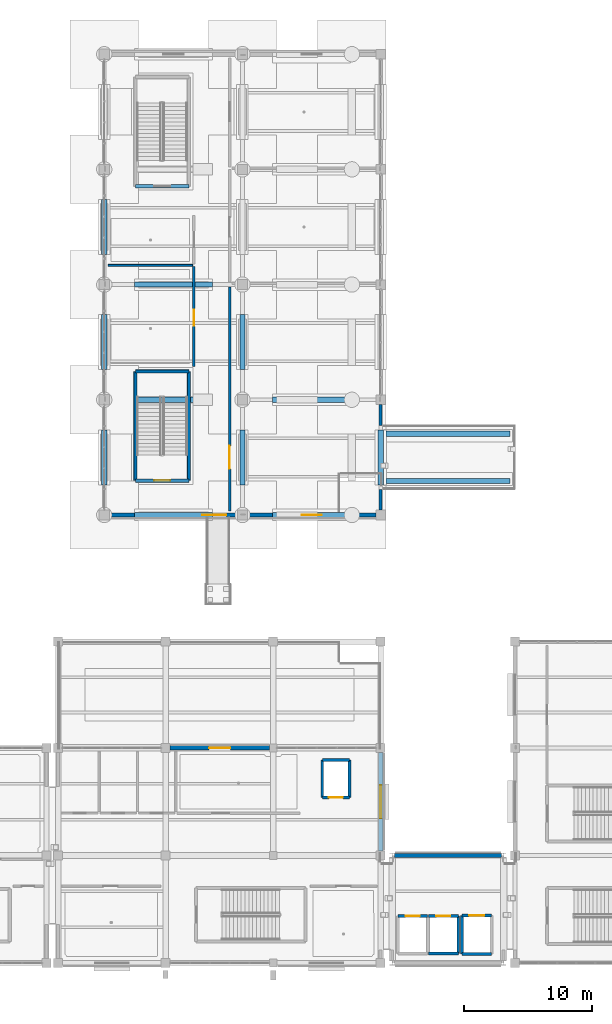
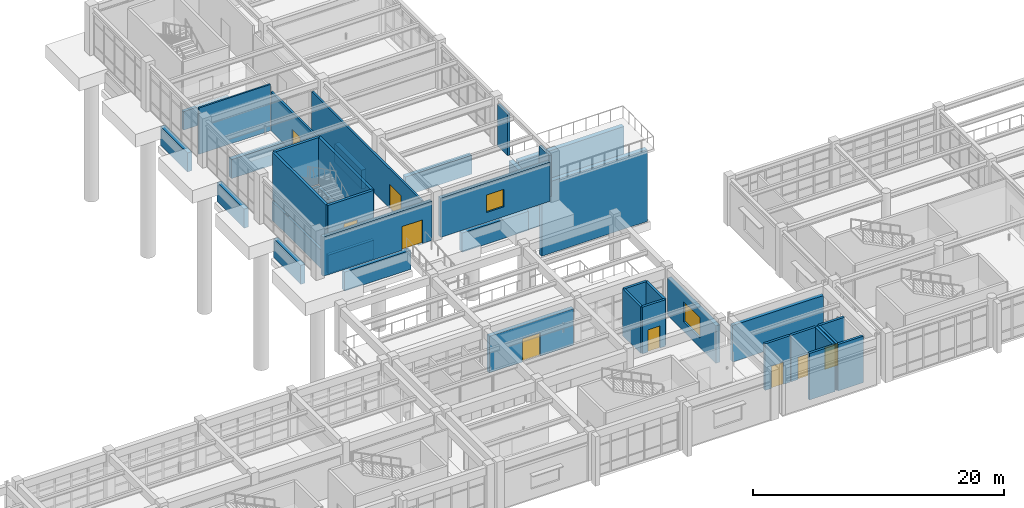
# One storey, part 77 of 98: 43 walls, 9 doors, 2 windows, 11 openings.
"""IFC4 building model written with IfcOpenShell, lengths in metres."""

from ifc_helpers import new_model, si_unit, direction, frame, frame_2d, origin, place, context, subcontext, project, spatial, rectangle, extrude, material, layer, layer_set, type_object, element, fill, save


model = new_model("IFC4")

# Units and contexts
model_context = context("Model", 3, precision=1e-05, world=origin(), true_north=direction((0.0, 1.0)))
body_context = subcontext(model_context, "Body", "Model", "MODEL_VIEW")
ifc_project = project(units=[si_unit("LENGTHUNIT", "METRE"), si_unit("AREAUNIT", "SQUARE_METRE"), si_unit("VOLUMEUNIT", "CUBIC_METRE"), si_unit("PLANEANGLEUNIT", "RADIAN"), si_unit("MASSUNIT", "GRAM", prefix="KILO")], contexts=[model_context])

# Site, building, storey
site_placement = place(None, origin())
site = spatial("IfcSite", under=ifc_project, at=site_placement, CompositionType="ELEMENT")
building_placement = place(site_placement, origin())
building = spatial("IfcBuilding", under=site, at=building_placement, Name="Canglan Escarpment Cableway Terminal", CompositionType="ELEMENT")
storey_placement = place(building_placement, frame((0.0, 0.0, 9.60009765625)))
storey = spatial("IfcBuildingStorey", under=building, at=storey_placement, Name="L02", CompositionType="ELEMENT", Elevation=9.60009765625)

# Walls
ifc_material_1 = material(Name="Concrete C40", Category="concrete")
ifc_layer_1 = layer(ifc_material_1, 0.39990234375, Name="Concrete C40")
ifc_layer_set_1 = layer_set([ifc_layer_1], Name="Concrete C40")
wall_type_1 = type_object("IfcWallType", Name="WL-BENCH-SOLID-400", PredefinedType="SOLIDWALL", material=ifc_layer_set_1)
for number, where, z_axis, x_axis, name in (
    (1, (117.449951171875, 43.0, -2.10009765625), (0.0, 0.0, 1.0), (1.0, 0.0, 0.0), "Hillside bench foundation wall BWALL-X-FB7-1-1"),
    (2, (128.25, 43.0, -2.10009765625), (0.0, 0.0, 1.0), (1.0, 0.0, 0.0), "Hillside bench foundation wall BWALL-X-FB7-1-2"),
    (3, (117.449951171875, 52.0, -2.10009765625), (0.0, 0.0, 1.0), (1.0, 0.0, 0.0), "Hillside bench foundation wall BWALL-X-FB7-2-1"),
    (4, (128.25, 52.0, -2.10009765625), (0.0, 0.0, 1.0), (1.0, 0.0, 0.0), "Hillside bench foundation wall BWALL-X-FB7-2-2"),
    (5, (117.449951171875, 61.0, -2.10009765625), (0.0, 0.0, 1.0), (1.0, 0.0, 0.0), "Hillside bench foundation wall BWALL-X-FB7-3-1"),
):
    element("IfcWall", number, at=place(storey_placement, frame(where, z_axis=z_axis, x_axis=x_axis)), inside=storey, type_object=wall_type_1, Name=name, PredefinedType="SOLIDWALL", context=body_context, shape_type="SweptSolid", body=[
        extrude(rectangle(XDim=6.10009765625, YDim=0.39990234375, at=frame_2d((3.050048828125, 0.0))), origin(), (0.0, 0.0, 1.0), 1.85009765625),
    ])
for number, where, z_axis, x_axis, name in (
    (6, (115.10009765625, 45.35009765625, -2.10009765625), (0.0, 0.0, 1.0), (0.0, 1.0, 0.0), "Hillside bench transverse foundation wall BWALL-Y-FB7-1-1"),
    (7, (115.10009765625, 54.35009765625, -2.10009765625), (0.0, 0.0, 1.0), (0.0, 1.0, 0.0), "Hillside bench transverse foundation wall BWALL-Y-FB7-1-2"),
    (8, (115.10009765625, 63.35009765625, -2.10009765625), (0.0, 0.0, 1.0), (0.0, 1.0, 0.0), "Hillside bench transverse foundation wall BWALL-Y-FB7-1-3"),
    (9, (125.89990234375, 45.35009765625, -2.10009765625), (0.0, 0.0, 1.0), (0.0, 1.0, 0.0), "Hillside bench transverse foundation wall BWALL-Y-FB7-2-1"),
    (10, (125.89990234375, 54.35009765625, -2.10009765625), (0.0, 0.0, 1.0), (0.0, 1.0, 0.0), "Hillside bench transverse foundation wall BWALL-Y-FB7-2-2"),
    (11, (136.699951171875, 45.35009765625, -2.10009765625), (0.0, 0.0, 1.0), (0.0, 1.0, 0.0), "Hillside bench transverse foundation wall BWALL-Y-FB7-3-1"),
):
    element("IfcWall", number, at=place(storey_placement, frame(where, z_axis=z_axis, x_axis=x_axis)), inside=storey, type_object=wall_type_1, Name=name, PredefinedType="SOLIDWALL", context=body_context, shape_type="SweptSolid", body=[
        extrude(rectangle(XDim=4.2998046875, YDim=0.39990234375, at=frame_2d((2.14990234375, 0.0))), origin(), (0.0, 0.0, 1.0), 1.85009765625),
    ])
for number, where, z_axis, x_axis, name in (
    (12, (137.10498046875, 45.64990234375, -7.2001953125), (0.0, 0.0, 1.0), (1.0, 0.0, 0.0), "Link gallery support wall BW-01"),
    (13, (137.10498046875, 49.35009765625, -7.2001953125), (0.0, 0.0, 1.0), (1.0, 0.0, 0.0), "Link gallery support wall BW-01"),
):
    element("IfcWall", number, at=place(storey_placement, frame(where, z_axis=z_axis, x_axis=x_axis)), inside=storey, type_object=wall_type_1, Name=name, PredefinedType="SOLIDWALL", context=body_context, shape_type="SweptSolid", body=[
        extrude(rectangle(XDim=9.695068359375, YDim=0.39990234375, at=frame_2d((4.84765625, 0.0))), origin(), (0.0, 0.0, 1.0), 6.97998046875),
    ])
wall_1_placement = place(storey_placement, frame((121.719970703125, 45.679931640625, -2.10009765625), z_axis=(0.0, 0.0, 1.0), x_axis=(0.0, 1.0, 0.0)))
element("IfcWall", 14, at=wall_1_placement, inside=storey, type_object=wall_type_1, Name="Stair core foundation wall ST-10", PredefinedType="SOLIDWALL", context=body_context, shape_type="SweptSolid", body=[
    extrude(rectangle(XDim=8.5400390625, YDim=0.280029296875, at=frame_2d((4.27001953125, 0.0))), origin(), (0.0, 0.0, 1.0), 1.800048828125),
])
wall_2_placement = place(storey_placement, frame((121.719970703125, 54.219970703125, -2.10009765625), z_axis=(0.0, 0.0, 1.0), x_axis=(-1.0, 0.0, 0.0)))
element("IfcWall", 15, at=wall_2_placement, inside=storey, type_object=wall_type_1, Name="Stair core foundation wall ST-10", PredefinedType="SOLIDWALL", context=body_context, shape_type="SweptSolid", body=[
    extrude(rectangle(XDim=4.18994140625, YDim=0.280029296875, at=frame_2d((2.094970703125, 0.0))), origin(), (0.0, 0.0, 1.0), 1.800048828125),
])
wall_3_placement = place(storey_placement, frame((117.530029296875, 54.219970703125, -2.10009765625), z_axis=(0.0, 0.0, 1.0), x_axis=(0.0, -1.0, 0.0)))
element("IfcWall", 16, at=wall_3_placement, inside=storey, type_object=wall_type_1, Name="Stair core foundation wall ST-10", PredefinedType="SOLIDWALL", context=body_context, shape_type="SweptSolid", body=[
    extrude(rectangle(XDim=8.5400390625, YDim=0.280029296875, at=frame_2d((4.27001953125, 0.0))), origin(), (0.0, 0.0, 1.0), 1.800048828125),
])
for number, where, z_axis, x_axis, name in (
    (17, (117.530029296875, 45.679931640625, -2.10009765625), (0.0, 0.0, 1.0), (1.0, 0.0, 0.0), "Stair core foundation wall ST-10"),
    (18, (117.530029296875, 68.679931640625, -2.10009765625), (0.0, 0.0, 1.0), (1.0, 0.0, 0.0), "Stair core foundation wall ST-11"),
):
    element("IfcWall", number, at=place(storey_placement, frame(where, z_axis=z_axis, x_axis=x_axis)), inside=storey, type_object=wall_type_1, Name=name, PredefinedType="SOLIDWALL", context=body_context, shape_type="SweptSolid", body=[
        extrude(rectangle(XDim=4.18994140625, YDim=0.280029296875, at=frame_2d((2.094970703125, 0.0))), origin(), (0.0, 0.0, 1.0), 1.800048828125),
    ])
ifc_layer_2 = layer(ifc_material_1, 0.239990234375, Name="Concrete C40")
ifc_layer_set_2 = layer_set([ifc_layer_2], Name="Concrete C40")
wall_type_2 = type_object("IfcWallType", Name="WL-CORE-SHEAR-240", PredefinedType="SHEAR", material=ifc_layer_set_2)
wall_4_placement = place(storey_placement, frame((121.719970703125, 45.679931640625, 0.0), z_axis=(0.0, 0.0, 1.0), x_axis=(0.0, 1.0, 0.0)))
element("IfcWall", 19, at=wall_4_placement, inside=storey, type_object=wall_type_2, Name="Protected stair core wall ST-10 (L02)", PredefinedType="SHEAR", context=body_context, shape_type="SweptSolid", body=[
    extrude(rectangle(XDim=8.5400390625, YDim=0.239990234375, at=frame_2d((4.27001953125, 0.0))), origin(), (0.0, 0.0, 1.0), 4.52001953125),
])
wall_5_placement = place(storey_placement, frame((121.719970703125, 54.219970703125, 0.0), z_axis=(0.0, 0.0, 1.0), x_axis=(-1.0, 0.0, 0.0)))
element("IfcWall", 20, at=wall_5_placement, inside=storey, type_object=wall_type_2, Name="Protected stair core wall ST-10 (L02)", PredefinedType="SHEAR", context=body_context, shape_type="SweptSolid", body=[
    extrude(rectangle(XDim=4.18994140625, YDim=0.239990234375, at=frame_2d((2.094970703125, 0.0))), origin(), (0.0, 0.0, 1.0), 4.52001953125),
])
wall_6_placement = place(storey_placement, frame((117.530029296875, 54.219970703125, 0.0), z_axis=(0.0, 0.0, 1.0), x_axis=(0.0, -1.0, 0.0)))
element("IfcWall", 21, at=wall_6_placement, inside=storey, type_object=wall_type_2, Name="Protected stair core wall ST-10 (L02)", PredefinedType="SHEAR", context=body_context, shape_type="SweptSolid", body=[
    extrude(rectangle(XDim=8.5400390625, YDim=0.239990234375, at=frame_2d((4.27001953125, 0.0))), origin(), (0.0, 0.0, 1.0), 4.52001953125),
])

# Wall, opening, door
wall_7_placement = place(storey_placement, frame((117.530029296875, 45.679931640625, 0.0), z_axis=(0.0, 0.0, 1.0), x_axis=(1.0, 0.0, 0.0)))
wall_7 = element("IfcWall", 22, at=wall_7_placement, inside=storey, type_object=wall_type_2, Name="Protected stair core wall ST-10 (L02)", PredefinedType="SHEAR", context=body_context, shape_type="SweptSolid", body=[
    extrude(rectangle(XDim=4.18994140625, YDim=0.239990234375, at=frame_2d((2.094970703125, 0.0))), origin(), (0.0, 0.0, 1.0), 4.52001953125),
])
opening_1_placement = place(wall_7_placement, frame((1.469970703125, 0.0, 0.0)))
opening_1 = element("IfcOpeningElement", 23, at=opening_1_placement, cuts=wall_7, Name="Opening SD-D1", PredefinedType="OPENING", context=body_context, shape_type="SweptSolid", body=[
    extrude(rectangle(XDim=1.25, YDim=2.199951171875, at=frame_2d((0.625, 1.10009765625))), frame((0.0, 0.1298828125, 0.0), z_axis=(0.0, -1.0, 0.0), x_axis=(1.0, 0.0, 0.0)), (0.0, 0.0, 1.0), 0.260009765625),
])
ifc_material_2 = material(Name="Steel fire-resisting stair door", Category="steel")
door_type_1 = type_object("IfcDoorType", Name="DR-STAIR-EI90-1250", OperationType="NOTDEFINED", PredefinedType="DOOR", material=ifc_material_2)
door_1_placement = place(opening_1_placement, origin())
door_1 = element("IfcDoor", 24, at=door_1_placement, inside=storey, type_object=door_type_1, Name="Protected exit stair fire door ST-10 (L02)", OperationType="SINGLE_SWING_RIGHT", OverallHeight=2.199951171875, OverallWidth=1.25, PredefinedType="DOOR", context=body_context, shape_type="SweptSolid", body=[
    extrude(rectangle(XDim=1.25, YDim=2.199951171875, at=frame_2d((0.625, 1.10009765625))), frame((0.0, 0.02490234375, 0.0), z_axis=(0.0, -1.0, 0.0), x_axis=(1.0, 0.0, 0.0)), (0.0, 0.0, 1.0), 0.050048828125),
])
fill(opening_1, door_1)

# Wall
ifc_material_3 = material(Name="Dressed ashlar limestone on Concrete C40", Category="masonry")
ifc_layer_3 = layer(ifc_material_3, 0.320068359375, Name="Dressed ashlar limestone on Concrete C40")
ifc_layer_set_3 = layer_set([ifc_layer_3], Name="Dressed ashlar limestone on Concrete C40")
wall_type_3 = type_object("IfcWallType", Name="WL-EXT-ASHLAR-320", PredefinedType="STANDARD", material=ifc_layer_set_3)
wall_8_placement = place(storey_placement, frame((146.125, 16.39990234375, 0.0), z_axis=(0.0, 0.0, 1.0), x_axis=(-1.0, 0.0, 0.0)))
element("IfcWall", 25, at=wall_8_placement, inside=storey, type_object=wall_type_3, Name="Classical stone-faced exterior wall EW-FB5A-L02-N-01", PredefinedType="STANDARD", context=body_context, shape_type="SweptSolid", body=[
    extrude(rectangle(XDim=8.35009765625, YDim=0.320068359375, at=frame_2d((4.175048828125, 0.0))), origin(), (0.0, 0.0, 1.0), 3.554931640625),
])

# Wall, opening, door
ifc_material_4 = material(Name="Bush-hammered granite ashlar on Concrete C40", Category="masonry")
ifc_layer_4 = layer(ifc_material_4, 0.340087890625, Name="Bush-hammered granite ashlar on Concrete C40")
ifc_layer_set_4 = layer_set([ifc_layer_4], Name="Bush-hammered granite ashlar on Concrete C40")
wall_type_4 = type_object("IfcWallType", Name="WL-EXT-GRAN-340", PredefinedType="STANDARD", material=ifc_layer_set_4)
wall_9_placement = place(storey_placement, frame((115.5, 43.0, 0.0), z_axis=(0.0, 0.0, 1.0), x_axis=(1.0, 0.0, 0.0)))
wall_9 = element("IfcWall", 26, at=wall_9_placement, inside=storey, type_object=wall_type_4, Name="Classical stone-faced exterior wall EW-FB7-L02-S-01", PredefinedType="STANDARD", context=body_context, shape_type="SweptSolid", body=[
    extrude(rectangle(XDim=10.0, YDim=0.340087890625, at=frame_2d((5.0, 0.0))), origin(), (0.0, 0.0, 1.0), 3.804931640625),
])
opening_2_placement = place(wall_9_placement, frame((7.25, 0.0, 0.0)))
opening_2 = element("IfcOpeningElement", 27, at=opening_2_placement, cuts=wall_9, Name="Opening ED-06", PredefinedType="OPENING", context=body_context, shape_type="SweptSolid", body=[
    extrude(rectangle(XDim=1.89990234375, YDim=2.300048828125, at=frame_2d((0.949951171875, 1.14990234375))), frame((0.0, 0.18017578125, 0.0), z_axis=(0.0, -1.0, 0.0), x_axis=(1.0, 0.0, 0.0)), (0.0, 0.0, 1.0), 0.360107421875),
])
ifc_material_5 = material(Name="Anodized bronze aluminium and tempered safety glass", Category="aluminium")
door_type_2 = type_object("IfcDoorType", Name="DR-EXT-RAMP-1900", OperationType="NOTDEFINED", PredefinedType="DOOR", material=ifc_material_5)
door_2_placement = place(opening_2_placement, origin())
door_2 = element("IfcDoor", 28, at=door_2_placement, inside=storey, type_object=door_type_2, Name="Accessible ramp vestibule glazed double door ED-06", OperationType="DOUBLE_DOOR_SINGLE_SWING", OverallHeight=2.300048828125, OverallWidth=1.89990234375, PredefinedType="DOOR", context=body_context, shape_type="SweptSolid", body=[
    extrude(rectangle(XDim=1.89990234375, YDim=2.300048828125, at=frame_2d((0.949951171875, 1.14990234375))), frame((0.0, 0.02490234375, 0.0), z_axis=(0.0, -1.0, 0.0), x_axis=(1.0, 0.0, 0.0)), (0.0, 0.0, 1.0), 0.050048828125),
])
fill(opening_2, door_2)

# Wall, opening, window
wall_10_placement = place(storey_placement, frame((126.300048828125, 43.0, 0.0), z_axis=(0.0, 0.0, 1.0), x_axis=(1.0, 0.0, 0.0)))
wall_10 = element("IfcWall", 29, at=wall_10_placement, inside=storey, type_object=wall_type_4, Name="Classical stone-faced exterior wall EW-FB7-L02-S-02", PredefinedType="STANDARD", context=body_context, shape_type="SweptSolid", body=[
    extrude(rectangle(XDim=10.02490234375, YDim=0.340087890625, at=frame_2d((5.012451171875, 0.0))), origin(), (0.0, 0.0, 1.0), 3.804931640625),
])
opening_3_placement = place(wall_10_placement, frame((4.21240234375, 0.0, 0.949951171875)))
opening_3 = element("IfcOpeningElement", 30, at=opening_3_placement, cuts=wall_10, Name="Opening W-10", PredefinedType="OPENING", context=body_context, shape_type="SweptSolid", body=[
    extrude(rectangle(XDim=1.60009765625, YDim=1.699951171875, at=frame_2d((0.800048828125, 0.85009765625))), frame((0.0, 0.18017578125, 0.0), z_axis=(0.0, -1.0, 0.0), x_axis=(1.0, 0.0, 0.0)), (0.0, 0.0, 1.0), 0.360107421875),
])
ifc_material_6 = material(Name="Anodized bronze aluminium and Low-E double glazing", Category="aluminium")
window_type_1 = type_object("IfcWindowType", Name="WIN-EXT-10", PartitioningType="SINGLE_PANEL", PredefinedType="WINDOW", material=ifc_material_6)
window_1_placement = place(opening_3_placement, origin())
window_1 = element("IfcWindow", 31, at=window_1_placement, inside=storey, type_object=window_type_1, Name="Classical module window W-10", OverallHeight=1.699951171875, OverallWidth=1.60009765625, PartitioningType="SINGLE_PANEL", PredefinedType="WINDOW", context=body_context, shape_type="SweptSolid", body=[
    extrude(rectangle(XDim=1.60009765625, YDim=1.699951171875, at=frame_2d((0.800048828125, 0.85009765625))), frame((0.0, 0.030029296875, 0.0), z_axis=(0.0, -1.0, 0.0), x_axis=(1.0, 0.0, 0.0)), (0.0, 0.0, 1.0), 0.06005859375),
])
fill(opening_3, window_1)

# Walls
ifc_material_7 = material(Name="Insulated stone-faced spandrel wall", Category="masonry")
ifc_layer_5 = layer(ifc_material_7, 0.22998046875, Name="Insulated stone-faced spandrel wall")
ifc_layer_set_5 = layer_set([ifc_layer_5], Name="Insulated stone-faced spandrel wall")
wall_type_5 = type_object("IfcWallType", Name="WL-EXT-LINK-230", PredefinedType="STANDARD", material=ifc_layer_set_5)
for number, where, z_axis, x_axis, name in (
    (32, (136.699951171875, 43.375, 0.0), (0.0, 0.0, 1.0), (0.0, 1.0, 0.0), "Classical stone-faced exterior wall EW-FB7-L02-E-01-FL1"),
    (33, (136.699951171875, 50.0, 0.0), (0.0, 0.0, 1.0), (0.0, 1.0, 0.0), "Classical stone-faced exterior wall EW-FB7-L02-E-01-FL2"),
):
    element("IfcWall", number, at=place(storey_placement, frame(where, z_axis=z_axis, x_axis=x_axis)), inside=storey, type_object=wall_type_5, Name=name, PredefinedType="STANDARD", context=body_context, shape_type="SweptSolid", body=[
        extrude(rectangle(XDim=1.625, YDim=0.22998046875, at=frame_2d((0.8125, 0.0))), origin(), (0.0, 0.0, 1.0), 4.016845703125),
    ])

# Wall, opening, window
ifc_material_8 = material(Name="Rusticated limestone masonry on Concrete C40", Category="masonry")
ifc_layer_6 = layer(ifc_material_8, 0.360107421875, Name="Rusticated limestone masonry on Concrete C40")
ifc_layer_set_6 = layer_set([ifc_layer_6], Name="Rusticated limestone masonry on Concrete C40")
wall_type_6 = type_object("IfcWallType", Name="WL-EXT-RUST-360", PredefinedType="STANDARD", material=ifc_layer_set_6)
wall_11_placement = place(storey_placement, frame((136.699951171875, 16.75, 0.0), z_axis=(0.0, 0.0, 1.0), x_axis=(0.0, 1.0, 0.0)))
wall_11 = element("IfcWall", 34, at=wall_11_placement, inside=storey, type_object=wall_type_6, Name="Classical stone-faced exterior wall EW-FB4-L02-E-02", PredefinedType="STANDARD", context=body_context, shape_type="SweptSolid", body=[
    extrude(rectangle(XDim=7.699951171875, YDim=0.360107421875, at=frame_2d((3.85009765625, 0.0))), origin(), (0.0, 0.0, 1.0), 3.65478515625),
])
opening_4_placement = place(wall_11_placement, frame((2.550048828125, 0.0, 0.949951171875)))
opening_4 = element("IfcOpeningElement", 35, at=opening_4_placement, cuts=wall_11, Name="Opening W-27", PredefinedType="OPENING", context=body_context, shape_type="SweptSolid", body=[
    extrude(rectangle(XDim=2.60009765625, YDim=1.949951171875, at=frame_2d((1.300048828125, 0.97509765625))), frame((0.0, 0.18994140625, 0.0), z_axis=(0.0, -1.0, 0.0), x_axis=(1.0, 0.0, 0.0)), (0.0, 0.0, 1.0), 0.380126953125),
])
window_type_2 = type_object("IfcWindowType", Name="WIN-EXT-27", PartitioningType="DOUBLE_PANEL_VERTICAL", PredefinedType="WINDOW", material=ifc_material_6)
window_2_placement = place(opening_4_placement, origin())
window_2 = element("IfcWindow", 36, at=window_2_placement, inside=storey, type_object=window_type_2, Name="Classical module window W-27", OverallHeight=1.949951171875, OverallWidth=2.60009765625, PartitioningType="SINGLE_PANEL", PredefinedType="WINDOW", context=body_context, shape_type="SweptSolid", body=[
    extrude(rectangle(XDim=2.60009765625, YDim=1.949951171875, at=frame_2d((1.300048828125, 0.97509765625))), frame((0.0, 0.030029296875, 0.0), z_axis=(0.0, -1.0, 0.0), x_axis=(1.0, 0.0, 0.0)), (0.0, 0.0, 1.0), 0.06005859375),
])
fill(opening_4, window_2)

# Wall, opening, door
wall_12_placement = place(storey_placement, frame((128.0, 24.800048828125, 0.0), z_axis=(0.0, 0.0, 1.0), x_axis=(-1.0, 0.0, 0.0)))
wall_12 = element("IfcWall", 37, at=wall_12_placement, inside=storey, type_object=wall_type_6, Name="Classical stone-faced exterior wall EW-FB4-L02-N-02", PredefinedType="STANDARD", context=body_context, shape_type="SweptSolid", body=[
    extrude(rectangle(XDim=7.75, YDim=0.360107421875, at=frame_2d((3.875, 0.0))), origin(), (0.0, 0.0, 1.0), 3.554931640625),
])
opening_5_placement = place(wall_12_placement, frame((3.050048828125, 0.0, 0.0)))
opening_5 = element("IfcOpeningElement", 38, at=opening_5_placement, cuts=wall_12, Name="Opening ED-03", PredefinedType="OPENING", context=body_context, shape_type="SweptSolid", body=[
    extrude(rectangle(XDim=1.64990234375, YDim=2.25, at=frame_2d((0.824951171875, 1.125))), frame((0.0, 0.18994140625, 0.0), z_axis=(0.0, -1.0, 0.0), x_axis=(1.0, 0.0, 0.0)), (0.0, 0.0, 1.0), 0.380126953125),
])
door_type_3 = type_object("IfcDoorType", Name="DR-EXT-TERR-1650", OperationType="NOTDEFINED", PredefinedType="DOOR", material=ifc_material_5)
door_3_placement = place(opening_5_placement, origin())
door_3 = element("IfcDoor", 39, at=door_3_placement, inside=storey, type_object=door_type_3, Name="Terrace access glazed door ED-03", OperationType="DOUBLE_DOOR_SINGLE_SWING", OverallHeight=2.25, OverallWidth=1.64990234375, PredefinedType="DOOR", context=body_context, shape_type="SweptSolid", body=[
    extrude(rectangle(XDim=1.64990234375, YDim=2.25, at=frame_2d((0.824951171875, 1.125))), frame((0.0, 0.02490234375, 0.0), z_axis=(0.0, -1.0, 0.0), x_axis=(1.0, 0.0, 0.0)), (0.0, 0.0, 1.0), 0.050048828125),
])
fill(opening_5, door_3)

ifc_material_9 = material(Name="Autoclaved aerated concrete blockwork", Category="masonry")
ifc_layer_7 = layer(ifc_material_9, 0.179931640625, Name="Autoclaved aerated concrete blockwork")
ifc_layer_set_7 = layer_set([ifc_layer_7], Name="Autoclaved aerated concrete blockwork")
wall_type_7 = type_object("IfcWallType", Name="WL-INT-FIRE-180-EI60", PredefinedType="PARTITIONING", material=ifc_layer_set_7)
wall_13_placement = place(storey_placement, frame((124.89990234375, 43.300048828125, 0.0), z_axis=(0.0, 0.0, 1.0), x_axis=(0.0, 1.0, 0.0)))
wall_13 = element("IfcWall", 40, at=wall_13_placement, inside=storey, type_object=wall_type_7, Name="Interior partition wall IW-L02-16-MAIN", PredefinedType="PARTITIONING", context=body_context, shape_type="SweptSolid", body=[
    extrude(rectangle(XDim=17.5, YDim=0.179931640625, at=frame_2d((8.75, 0.0))), origin(), (0.0, 0.0, 1.0), 3.804931640625),
])
opening_6_placement = place(wall_13_placement, frame((3.300048828125, 0.0, 0.0)))
opening_6 = element("IfcOpeningElement", 41, at=opening_6_placement, cuts=wall_13, Name="Opening ID-28", PredefinedType="OPENING", context=body_context, shape_type="SweptSolid", body=[
    extrude(rectangle(XDim=1.800048828125, YDim=2.340087890625, at=frame_2d((0.89990234375, 1.169921875))), frame((0.0, 0.10009765625, 0.0), z_axis=(0.0, -1.0, 0.0), x_axis=(1.0, 0.0, 0.0)), (0.0, 0.0, 1.0), 0.199951171875),
])
ifc_material_10 = material(Name="Stained oak and safety glass door", Category="glass")
door_type_4 = type_object("IfcDoorType", Name="DR-INT-ID-28", OperationType="NOTDEFINED", PredefinedType="DOOR", material=ifc_material_10)
door_4_placement = place(opening_6_placement, origin())
door_4 = element("IfcDoor", 42, at=door_4_placement, inside=storey, type_object=door_type_4, Name="Cabin Maintenance Workshop door ID-28", OperationType="DOUBLE_DOOR_SINGLE_SWING", OverallHeight=2.340087890625, OverallWidth=1.800048828125, PredefinedType="DOOR", context=body_context, shape_type="SweptSolid", body=[
    extrude(rectangle(XDim=1.800048828125, YDim=2.340087890625, at=frame_2d((0.89990234375, 1.169921875))), frame((0.0, 0.02490234375, 0.0), z_axis=(0.0, -1.0, 0.0), x_axis=(1.0, 0.0, 0.0)), (0.0, 0.0, 1.0), 0.050048828125),
])
fill(opening_6, door_4)

wall_14_placement = place(storey_placement, frame((122.10009765625, 54.60009765625, 0.0), z_axis=(0.0, 0.0, 1.0), x_axis=(0.0, 1.0, 0.0)))
wall_14 = element("IfcWall", 43, at=wall_14_placement, inside=storey, type_object=wall_type_7, Name="Interior partition wall IW-L02-19-MAIN", PredefinedType="PARTITIONING", context=body_context, shape_type="SweptSolid", body=[
    extrude(rectangle(XDim=7.7998046875, YDim=0.179931640625, at=frame_2d((3.89990234375, 0.0))), origin(), (0.0, 0.0, 1.0), 3.804931640625),
])
opening_7_placement = place(wall_14_placement, frame((3.175048828125, 0.0, 0.0)))
opening_7 = element("IfcOpeningElement", 44, at=opening_7_placement, cuts=wall_14, Name="Opening ID-11", PredefinedType="OPENING", context=body_context, shape_type="SweptSolid", body=[
    extrude(rectangle(XDim=1.25, YDim=2.179931640625, at=frame_2d((0.625, 1.08984375))), frame((0.0, 0.10009765625, 0.0), z_axis=(0.0, -1.0, 0.0), x_axis=(1.0, 0.0, 0.0)), (0.0, 0.0, 1.0), 0.199951171875),
])
door_type_5 = type_object("IfcDoorType", Name="DR-INT-ID-11", OperationType="NOTDEFINED", PredefinedType="DOOR", material=ifc_material_10)
door_5_placement = place(opening_7_placement, origin())
door_5 = element("IfcDoor", 45, at=door_5_placement, inside=storey, type_object=door_type_5, Name="Gondola Electrical Diagnostics Lab door ID-11", OperationType="SINGLE_SWING_LEFT", OverallHeight=2.179931640625, OverallWidth=1.25, PredefinedType="DOOR", context=body_context, shape_type="SweptSolid", body=[
    extrude(rectangle(XDim=1.25, YDim=2.179931640625, at=frame_2d((0.625, 1.08984375))), frame((0.0, 0.02490234375, 0.0), z_axis=(0.0, -1.0, 0.0), x_axis=(1.0, 0.0, 0.0)), (0.0, 0.0, 1.0), 0.050048828125),
])
fill(opening_7, door_5)

# Wall
ifc_material_11 = material(Name="Acoustic double-stud gypsum partition", Category="gypsum")
ifc_layer_8 = layer(ifc_material_11, 0.14990234375, Name="Acoustic double-stud gypsum partition")
ifc_layer_set_8 = layer_set([ifc_layer_8], Name="Acoustic double-stud gypsum partition")
wall_type_8 = type_object("IfcWallType", Name="WL-INT-PART-150", PredefinedType="PARTITIONING", material=ifc_layer_set_8)
wall_15_placement = place(storey_placement, frame((115.39990234375, 62.5, 0.0), z_axis=(0.0, 0.0, 1.0), x_axis=(1.0, 0.0, 0.0)))
element("IfcWall", 46, at=wall_15_placement, inside=storey, type_object=wall_type_8, Name="Interior partition wall IW-L02-22-SIDE", PredefinedType="PARTITIONING", context=body_context, shape_type="SweptSolid", body=[
    extrude(rectangle(XDim=6.60009765625, YDim=0.14990234375, at=frame_2d((3.300048828125, 0.0))), origin(), (0.0, 0.0, 1.0), 4.5048828125),
])

# Wall, opening, door
ifc_layer_9 = layer(ifc_material_1, 0.219970703125, Name="Concrete C40")
ifc_layer_set_9 = layer_set([ifc_layer_9], Name="Concrete C40")
wall_type_9 = type_object("IfcWallType", Name="WL-SHAFT-SHEAR-220", PredefinedType="SHEAR", material=ifc_layer_set_9)
wall_16_placement = place(storey_placement, frame((140.360107421875, 11.659912109375, 0.0), z_axis=(0.0, 0.0, 1.0), x_axis=(-1.0, 0.0, 0.0)))
wall_16 = element("IfcWall", 47, at=wall_16_placement, inside=storey, type_object=wall_type_9, Name="Elevator core shaft wall LF-01 (L02)", PredefinedType="SHEAR", context=body_context, shape_type="SweptSolid", body=[
    extrude(rectangle(XDim=2.320068359375, YDim=0.219970703125, at=frame_2d((1.16015625, 0.0))), origin(), (0.0, 0.0, 1.0), 4.52001953125),
])
opening_8_placement = place(wall_16_placement, frame((0.610107421875, 0.0, 0.0)))
opening_8 = element("IfcOpeningElement", 48, at=opening_8_placement, cuts=wall_16, Name="Opening LD-01", PredefinedType="OPENING", context=body_context, shape_type="SweptSolid", body=[
    extrude(rectangle(XDim=1.10009765625, YDim=2.14990234375, at=frame_2d((0.550048828125, 1.074951171875))), frame((0.0, 0.1201171875, 0.0), z_axis=(0.0, -1.0, 0.0), x_axis=(1.0, 0.0, 0.0)), (0.0, 0.0, 1.0), 0.239990234375),
])
ifc_material_12 = material(Name="Brushed stainless steel lift landing door", Category="steel")
door_type_6 = type_object("IfcDoorType", Name="DR-LIFT-SLIDE-1100", OperationType="DOUBLE_DOOR_SLIDING", PredefinedType="DOOR", material=ifc_material_12)
door_6_placement = place(opening_8_placement, origin())
door_6 = element("IfcDoor", 49, at=door_6_placement, inside=storey, type_object=door_type_6, Name="Elevator sliding landing door LF-01 (L02)", OperationType="DOUBLE_DOOR_SLIDING", OverallHeight=2.14990234375, OverallWidth=1.10009765625, PredefinedType="DOOR", context=body_context, shape_type="SweptSolid", body=[
    extrude(rectangle(XDim=1.10009765625, YDim=2.14990234375, at=frame_2d((0.550048828125, 1.074951171875))), frame((0.0, 0.02490234375, 0.0), z_axis=(0.0, -1.0, 0.0), x_axis=(1.0, 0.0, 0.0)), (0.0, 0.0, 1.0), 0.050048828125),
])
fill(opening_8, door_6)

# Walls
wall_17_placement = place(storey_placement, frame((140.43994140625, 8.739990234375, 0.0), z_axis=(0.0, 0.0, 1.0), x_axis=(1.0, 0.0, 0.0)))
element("IfcWall", 50, at=wall_17_placement, inside=storey, type_object=wall_type_9, Name="Elevator core shaft wall LF-02 (L02)", PredefinedType="SHEAR", context=body_context, shape_type="SweptSolid", body=[
    extrude(rectangle(XDim=2.320068359375, YDim=0.219970703125, at=frame_2d((1.16015625, 0.0))), origin(), (0.0, 0.0, 1.0), 4.52001953125),
])
wall_18_placement = place(storey_placement, frame((142.760009765625, 8.739990234375, 0.0), z_axis=(0.0, 0.0, 1.0), x_axis=(0.0, 1.0, 0.0)))
element("IfcWall", 51, at=wall_18_placement, inside=storey, type_object=wall_type_9, Name="Elevator core shaft wall LF-02 (L02)", PredefinedType="SHEAR", context=body_context, shape_type="SweptSolid", body=[
    extrude(rectangle(XDim=2.919921875, YDim=0.219970703125, at=frame_2d((1.4599609375, 0.0))), origin(), (0.0, 0.0, 1.0), 4.52001953125),
])

# Wall, opening, door
wall_19_placement = place(storey_placement, frame((142.760009765625, 11.659912109375, 0.0), z_axis=(0.0, 0.0, 1.0), x_axis=(-1.0, 0.0, 0.0)))
wall_19 = element("IfcWall", 52, at=wall_19_placement, inside=storey, type_object=wall_type_9, Name="Elevator core shaft wall LF-02 (L02)", PredefinedType="SHEAR", context=body_context, shape_type="SweptSolid", body=[
    extrude(rectangle(XDim=2.320068359375, YDim=0.219970703125, at=frame_2d((1.16015625, 0.0))), origin(), (0.0, 0.0, 1.0), 4.52001953125),
])
opening_9_placement = place(wall_19_placement, frame((0.610107421875, 0.0, 0.0)))
opening_9 = element("IfcOpeningElement", 53, at=opening_9_placement, cuts=wall_19, Name="Opening LD-01", PredefinedType="OPENING", context=body_context, shape_type="SweptSolid", body=[
    extrude(rectangle(XDim=1.10009765625, YDim=2.14990234375, at=frame_2d((0.550048828125, 1.074951171875))), frame((0.0, 0.1201171875, 0.0), z_axis=(0.0, -1.0, 0.0), x_axis=(1.0, 0.0, 0.0)), (0.0, 0.0, 1.0), 0.239990234375),
])
door_7_placement = place(opening_9_placement, origin())
door_7 = element("IfcDoor", 54, at=door_7_placement, inside=storey, type_object=door_type_6, Name="Elevator sliding landing door LF-02 (L02)", OperationType="DOUBLE_DOOR_SLIDING", OverallHeight=2.14990234375, OverallWidth=1.10009765625, PredefinedType="DOOR", context=body_context, shape_type="SweptSolid", body=[
    extrude(rectangle(XDim=1.10009765625, YDim=2.14990234375, at=frame_2d((0.550048828125, 1.074951171875))), frame((0.0, 0.02490234375, 0.0), z_axis=(0.0, -1.0, 0.0), x_axis=(1.0, 0.0, 0.0)), (0.0, 0.0, 1.0), 0.050048828125),
])
fill(opening_9, door_7)

wall_20_placement = place(storey_placement, frame((132.139892578125, 20.93994140625, 0.0), z_axis=(0.0, 0.0, 1.0), x_axis=(1.0, 0.0, 0.0)))
wall_20 = element("IfcWall", 55, at=wall_20_placement, inside=storey, type_object=wall_type_9, Name="Elevator core shaft wall LF-06 (L02)", PredefinedType="SHEAR", context=body_context, shape_type="SweptSolid", body=[
    extrude(rectangle(XDim=2.1201171875, YDim=0.219970703125, at=frame_2d((1.06005859375, 0.0))), origin(), (0.0, 0.0, 1.0), 4.52001953125),
])
opening_10_placement = place(wall_20_placement, frame((0.510009765625, 0.0, 0.0)))
opening_10 = element("IfcOpeningElement", 56, at=opening_10_placement, cuts=wall_20, Name="Opening LD-01", PredefinedType="OPENING", context=body_context, shape_type="SweptSolid", body=[
    extrude(rectangle(XDim=1.10009765625, YDim=2.14990234375, at=frame_2d((0.550048828125, 1.074951171875))), frame((0.0, 0.1201171875, 0.0), z_axis=(0.0, -1.0, 0.0), x_axis=(1.0, 0.0, 0.0)), (0.0, 0.0, 1.0), 0.239990234375),
])
door_8_placement = place(opening_10_placement, origin())
door_8 = element("IfcDoor", 57, at=door_8_placement, inside=storey, type_object=door_type_6, Name="Elevator sliding landing door LF-06 (L02)", OperationType="DOUBLE_DOOR_SLIDING", OverallHeight=2.14990234375, OverallWidth=1.10009765625, PredefinedType="DOOR", context=body_context, shape_type="SweptSolid", body=[
    extrude(rectangle(XDim=1.10009765625, YDim=2.14990234375, at=frame_2d((0.550048828125, 1.074951171875))), frame((0.0, 0.02490234375, 0.0), z_axis=(0.0, -1.0, 0.0), x_axis=(1.0, 0.0, 0.0)), (0.0, 0.0, 1.0), 0.050048828125),
])
fill(opening_10, door_8)

# Walls
wall_21_placement = place(storey_placement, frame((134.260009765625, 20.93994140625, 0.0), z_axis=(0.0, 0.0, 1.0), x_axis=(0.0, 1.0, 0.0)))
element("IfcWall", 58, at=wall_21_placement, inside=storey, type_object=wall_type_9, Name="Elevator core shaft wall LF-06 (L02)", PredefinedType="SHEAR", context=body_context, shape_type="SweptSolid", body=[
    extrude(rectangle(XDim=2.920166015625, YDim=0.219970703125, at=frame_2d((1.4599609375, 0.0))), origin(), (0.0, 0.0, 1.0), 4.52001953125),
])
wall_22_placement = place(storey_placement, frame((134.260009765625, 23.860107421875, 0.0), z_axis=(0.0, 0.0, 1.0), x_axis=(-1.0, 0.0, 0.0)))
element("IfcWall", 59, at=wall_22_placement, inside=storey, type_object=wall_type_9, Name="Elevator core shaft wall LF-06 (L02)", PredefinedType="SHEAR", context=body_context, shape_type="SweptSolid", body=[
    extrude(rectangle(XDim=2.1201171875, YDim=0.219970703125, at=frame_2d((1.06005859375, 0.0))), origin(), (0.0, 0.0, 1.0), 4.52001953125),
])
wall_23_placement = place(storey_placement, frame((132.139892578125, 23.860107421875, 0.0), z_axis=(0.0, 0.0, 1.0), x_axis=(0.0, -1.0, 0.0)))
element("IfcWall", 60, at=wall_23_placement, inside=storey, type_object=wall_type_9, Name="Elevator core shaft wall LF-06 (L02)", PredefinedType="SHEAR", context=body_context, shape_type="SweptSolid", body=[
    extrude(rectangle(XDim=2.920166015625, YDim=0.219970703125, at=frame_2d((1.4599609375, 0.0))), origin(), (0.0, 0.0, 1.0), 4.52001953125),
])
wall_24_placement = place(storey_placement, frame((143.0400390625, 8.68994140625, 0.0), z_axis=(0.0, 0.0, 1.0), x_axis=(1.0, 0.0, 0.0)))
element("IfcWall", 61, at=wall_24_placement, inside=storey, type_object=wall_type_9, Name="Elevator core shaft wall LF-07 (L02)", PredefinedType="SHEAR", context=body_context, shape_type="SweptSolid", body=[
    extrude(rectangle(XDim=2.320068359375, YDim=0.219970703125, at=frame_2d((1.16015625, 0.0))), origin(), (0.0, 0.0, 1.0), 4.52001953125),
])

# Wall, opening, door
wall_25_placement = place(storey_placement, frame((145.360107421875, 11.7099609375, 0.0), z_axis=(0.0, 0.0, 1.0), x_axis=(-1.0, 0.0, 0.0)))
wall_25 = element("IfcWall", 62, at=wall_25_placement, inside=storey, type_object=wall_type_9, Name="Elevator core shaft wall LF-07 (L02)", PredefinedType="SHEAR", context=body_context, shape_type="SweptSolid", body=[
    extrude(rectangle(XDim=2.320068359375, YDim=0.219970703125, at=frame_2d((1.16015625, 0.0))), origin(), (0.0, 0.0, 1.0), 4.52001953125),
])
opening_11_placement = place(wall_25_placement, frame((0.56005859375, 0.0, 0.0)))
opening_11 = element("IfcOpeningElement", 63, at=opening_11_placement, cuts=wall_25, Name="Opening LD-02", PredefinedType="OPENING", context=body_context, shape_type="SweptSolid", body=[
    extrude(rectangle(XDim=1.199951171875, YDim=2.14990234375, at=frame_2d((0.60009765625, 1.074951171875))), frame((0.0, 0.1201171875, 0.0), z_axis=(0.0, -1.0, 0.0), x_axis=(1.0, 0.0, 0.0)), (0.0, 0.0, 1.0), 0.239990234375),
])
ifc_material_13 = material(Name="Fire-rated stainless steel lift landing door", Category="steel")
door_type_7 = type_object("IfcDoorType", Name="DR-LIFT-FIRE-1200", OperationType="DOUBLE_DOOR_SLIDING", PredefinedType="DOOR", material=ifc_material_13)
door_9_placement = place(opening_11_placement, origin())
door_9 = element("IfcDoor", 64, at=door_9_placement, inside=storey, type_object=door_type_7, Name="Elevator sliding landing door LF-07 (L02)", OperationType="DOUBLE_DOOR_SLIDING", OverallHeight=2.14990234375, OverallWidth=1.199951171875, PredefinedType="DOOR", context=body_context, shape_type="SweptSolid", body=[
    extrude(rectangle(XDim=1.199951171875, YDim=2.14990234375, at=frame_2d((0.60009765625, 1.074951171875))), frame((0.0, 0.02490234375, 0.0), z_axis=(0.0, -1.0, 0.0), x_axis=(1.0, 0.0, 0.0)), (0.0, 0.0, 1.0), 0.050048828125),
])
fill(opening_11, door_9)

# Wall
wall_26_placement = place(storey_placement, frame((143.0400390625, 11.7099609375, 0.0), z_axis=(0.0, 0.0, 1.0), x_axis=(0.0, -1.0, 0.0)))
element("IfcWall", 65, at=wall_26_placement, inside=storey, type_object=wall_type_9, Name="Elevator core shaft wall LF-07 (L02)", PredefinedType="SHEAR", context=body_context, shape_type="SweptSolid", body=[
    extrude(rectangle(XDim=3.02001953125, YDim=0.219970703125, at=frame_2d((1.510009765625, 0.0))), origin(), (0.0, 0.0, 1.0), 4.52001953125),
])

save(model, "model.ifc")
